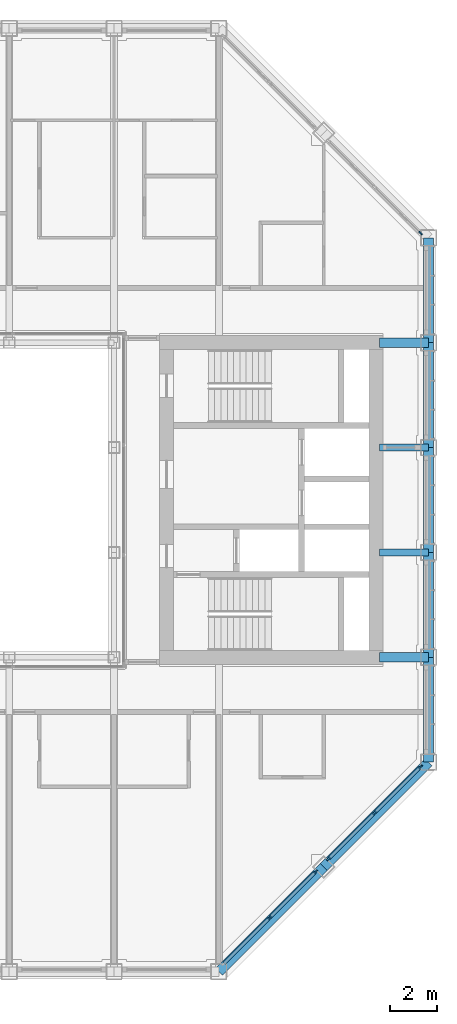
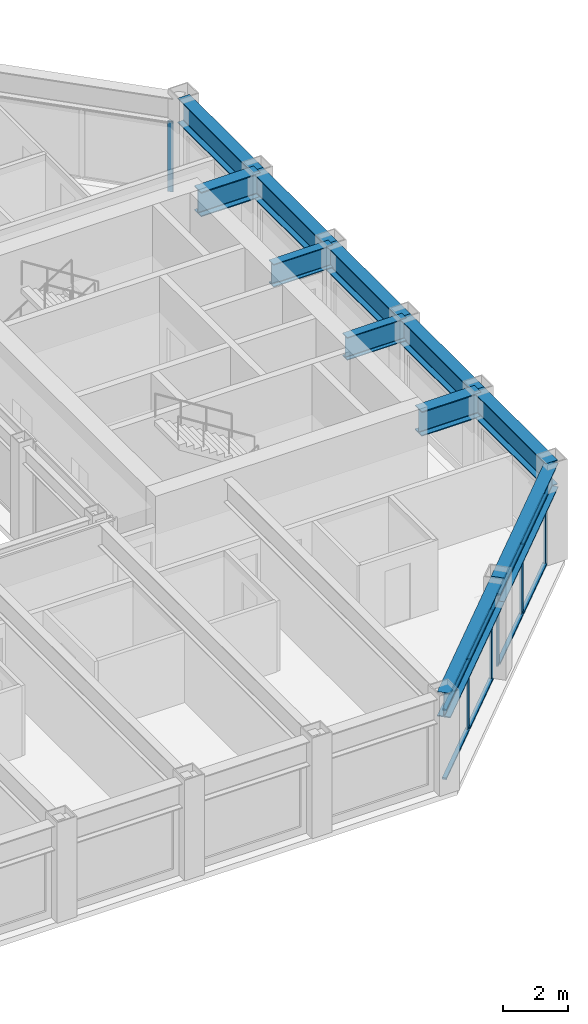
# One storey, part 5 of 18: 14 members, 11 beams, 3 elements without a shape of their own.
"""IFC4 building model written with IfcOpenShell, lengths in metres."""

from ifc_helpers import new_model, si_unit, direction, frame, origin, origin_2d, place, context, subcontext, project, spatial, rectangle, i_section, extrude, material, material_profile, profile_set, type_object, element, aggregate, save


model = new_model("IFC4")

# Units and contexts
model_context = context("Model", 3, precision=1e-05, world=origin(), true_north=direction((0.0, 1.0)))
body_context = subcontext(model_context, "Body", "Model", "MODEL_VIEW")
ifc_project = project(units=[si_unit("LENGTHUNIT", "METRE"), si_unit("AREAUNIT", "SQUARE_METRE"), si_unit("VOLUMEUNIT", "CUBIC_METRE"), si_unit("PLANEANGLEUNIT", "RADIAN"), si_unit("MASSUNIT", "GRAM", prefix="KILO")], contexts=[model_context])

# Site, building, storey
site_placement = place(None, origin())
site = spatial("IfcSite", under=ifc_project, at=site_placement, CompositionType="ELEMENT")
building_placement = place(site_placement, origin())
building = spatial("IfcBuilding", under=site, at=building_placement, Name="Msasa Ring Tower", CompositionType="ELEMENT")
storey_placement = place(building_placement, frame((0.0, 0.0, 223.300048828125)))
storey = spatial("IfcBuildingStorey", under=building, at=storey_placement, Name="L58", CompositionType="ELEMENT", Elevation=223.300048828125)

# Curtain wall, members
ifc_material_1 = material(Name="Aluminium curtain wall with clear glass", Category="aluminium")
curtain_wall_type = type_object("IfcCurtainWallType", Name="CW-C CHAMFER CORNER CURTAIN WALL", PredefinedType="NOTDEFINED", material=ifc_material_1)
curtain_wall_1_placement = place(storey_placement, origin())
curtain_wall_1 = element("IfcCurtainWall", 1, at=curtain_wall_1_placement, inside=storey, type_object=curtain_wall_type, Name="Chamfer corner curtain wall SE L58", PredefinedType="NOTDEFINED")
ifc_material_2 = material(Name="Aluminium mullion", Category="aluminium")
ifc_material_profile_1 = material_profile(ifc_material_2, rectangle(XDim=0.06494140625, YDim=0.179931640625, at=origin_2d()), Name="AL 65x180")
ifc_profile_set_1 = profile_set([ifc_material_profile_1], Name="Aluminium mullion")
member_type_1 = type_object("IfcMemberType", Name="CW-C MULLION 65x180", PredefinedType="MULLION", material=ifc_profile_set_1)
member_1_placement = place(storey_placement, frame((13.42919921875, -17.92919921875, 0.0), z_axis=(0.0, 0.0, 1.0), x_axis=(-0.707106781187, 0.707106781187, 0.0)))
member_1 = element("IfcMember", 2, at=member_1_placement, type_object=member_type_1, Name="CW-C mullion 2", PredefinedType="MULLION", context=body_context, shape_type="SweptSolid", body=[
    extrude(rectangle(XDim=0.06494140625, YDim=0.179931640625, at=origin_2d()), origin(), (0.0, 0.0, 1.0), 2.62890625),
])
member_2_placement = place(storey_placement, frame((15.4052734375, -15.953369140625, 0.0), z_axis=(0.0, 0.0, 1.0), x_axis=(-0.707106781187, 0.707106781187, 0.0)))
member_2 = element("IfcMember", 3, at=member_2_placement, type_object=member_type_1, Name="CW-C mullion 3", PredefinedType="MULLION", context=body_context, shape_type="SweptSolid", body=[
    extrude(rectangle(XDim=0.06494140625, YDim=0.179931640625, at=origin_2d()), origin(), (0.0, 0.0, 1.0), 2.62890625),
])

curtain_wall_2_placement = place(storey_placement, origin())
curtain_wall_2 = element("IfcCurtainWall", 4, at=curtain_wall_2_placement, inside=storey, type_object=curtain_wall_type, Name="Chamfer corner curtain wall SE L58", PredefinedType="NOTDEFINED")
member_3_placement = place(storey_placement, frame((15.953369140625, -15.4052734375, 0.0), z_axis=(0.0, 0.0, 1.0), x_axis=(-0.707106781187, 0.707106781187, 0.0)))
member_3 = element("IfcMember", 5, at=member_3_placement, type_object=member_type_1, Name="CW-C mullion 1", PredefinedType="MULLION", context=body_context, shape_type="SweptSolid", body=[
    extrude(rectangle(XDim=0.06494140625, YDim=0.179931640625, at=origin_2d()), origin(), (0.0, 0.0, 1.0), 2.62890625),
])
member_4_placement = place(storey_placement, frame((17.92919921875, -13.42919921875, 0.0), z_axis=(0.0, 0.0, 1.0), x_axis=(-0.707106781187, 0.707106781187, 0.0)))
member_4 = element("IfcMember", 6, at=member_4_placement, type_object=member_type_1, Name="CW-C mullion 2", PredefinedType="MULLION", context=body_context, shape_type="SweptSolid", body=[
    extrude(rectangle(XDim=0.06494140625, YDim=0.179931640625, at=origin_2d()), origin(), (0.0, 0.0, 1.0), 2.62890625),
])
member_5_placement = place(storey_placement, frame((19.9052734375, -11.453369140625, 0.0), z_axis=(0.0, 0.0, 1.0), x_axis=(-0.707106781187, 0.707106781187, 0.0)))
member_5 = element("IfcMember", 7, at=member_5_placement, type_object=member_type_1, Name="CW-C mullion 3", PredefinedType="MULLION", context=body_context, shape_type="SweptSolid", body=[
    extrude(rectangle(XDim=0.06494140625, YDim=0.179931640625, at=origin_2d()), origin(), (0.0, 0.0, 1.0), 2.62890625),
])

# Curtain wall, member
curtain_wall_3_placement = place(storey_placement, origin())
curtain_wall_3 = element("IfcCurtainWall", 8, at=curtain_wall_3_placement, inside=storey, type_object=curtain_wall_type, Name="Chamfer corner curtain wall NE L58", PredefinedType="NOTDEFINED")
member_6_placement = place(storey_placement, frame((19.9052734375, 11.453369140625, 0.0), z_axis=(0.0, 0.0, 1.0), x_axis=(-0.707106781187, -0.707106781187, 0.0)))
member_6 = element("IfcMember", 9, at=member_6_placement, type_object=member_type_1, Name="CW-C mullion 1", PredefinedType="MULLION", context=body_context, shape_type="SweptSolid", body=[
    extrude(rectangle(XDim=0.06494140625, YDim=0.179931640625, at=origin_2d()), origin(), (0.0, 0.0, 1.0), 2.62890625),
])
aggregate(curtain_wall_3, [member_6])

# Member
ifc_material_3 = material(Name="Aluminium transom", Category="aluminium")
ifc_material_profile_2 = material_profile(ifc_material_3, rectangle(XDim=0.139892578125, YDim=0.06494140625, at=origin_2d()), Name="AL 65x140")
ifc_profile_set_2 = profile_set([ifc_material_profile_2], Name="Aluminium transom")
member_type_2 = type_object("IfcMemberType", Name="CW-C TRANSOM 65x140", PredefinedType="USERDEFINED", material=ifc_profile_set_2)
member_7_placement = place(storey_placement, frame((11.476318359375, -19.88232421875, 0.032470703125), z_axis=(0.707106781187, 0.707106781187, 0.0), x_axis=(-0.707106781187, 0.707106781187, 0.0)))
member_7 = element("IfcMember", 10, at=member_7_placement, type_object=member_type_2, Name="CW-C transom 1.1", ObjectType="TRANSOM", PredefinedType="USERDEFINED", context=body_context, shape_type="SweptSolid", body=[
    extrude(rectangle(XDim=0.139892578125, YDim=0.06494140625, at=origin_2d()), origin(), (0.0, 0.0, 1.0), 2.729248046875),
])

member_8_placement = place(storey_placement, frame((11.476318359375, -19.88232421875, 2.596435546875), z_axis=(0.707106781187, 0.707106781187, 0.0), x_axis=(-0.707106781187, 0.707106781187, 0.0)))
member_8 = element("IfcMember", 11, at=member_8_placement, type_object=member_type_2, Name="CW-C transom 1.2", ObjectType="TRANSOM", PredefinedType="USERDEFINED", context=body_context, shape_type="SweptSolid", body=[
    extrude(rectangle(XDim=0.139892578125, YDim=0.06494140625, at=origin_2d()), origin(), (0.0, 0.0, 1.0), 2.729248046875),
])

member_9_placement = place(storey_placement, frame((13.452392578125, -17.90625, 0.032470703125), z_axis=(0.707106781187, 0.707106781187, 0.0), x_axis=(-0.707106781187, 0.707106781187, 0.0)))
member_9 = element("IfcMember", 12, at=member_9_placement, type_object=member_type_2, Name="CW-C transom 2.1", ObjectType="TRANSOM", PredefinedType="USERDEFINED", context=body_context, shape_type="SweptSolid", body=[
    extrude(rectangle(XDim=0.139892578125, YDim=0.06494140625, at=origin_2d()), origin(), (0.0, 0.0, 1.0), 2.729248046875),
])

member_10_placement = place(storey_placement, frame((13.452392578125, -17.90625, 2.596435546875), z_axis=(0.707106781187, 0.707106781187, 0.0), x_axis=(-0.707106781187, 0.707106781187, 0.0)))
member_10 = element("IfcMember", 13, at=member_10_placement, type_object=member_type_2, Name="CW-C transom 2.2", ObjectType="TRANSOM", PredefinedType="USERDEFINED", context=body_context, shape_type="SweptSolid", body=[
    extrude(rectangle(XDim=0.139892578125, YDim=0.06494140625, at=origin_2d()), origin(), (0.0, 0.0, 1.0), 2.729248046875),
])

aggregate(curtain_wall_1, [member_1, member_2, member_7, member_8, member_9, member_10])

member_11_placement = place(storey_placement, frame((15.976318359375, -15.38232421875, 0.032470703125), z_axis=(0.707106781187, 0.707106781187, 0.0), x_axis=(-0.707106781187, 0.707106781187, 0.0)))
member_11 = element("IfcMember", 14, at=member_11_placement, type_object=member_type_2, Name="CW-C transom 1.1", ObjectType="TRANSOM", PredefinedType="USERDEFINED", context=body_context, shape_type="SweptSolid", body=[
    extrude(rectangle(XDim=0.139892578125, YDim=0.06494140625, at=origin_2d()), origin(), (0.0, 0.0, 1.0), 2.729248046875),
])

member_12_placement = place(storey_placement, frame((15.976318359375, -15.38232421875, 2.596435546875), z_axis=(0.707106781187, 0.707106781187, 0.0), x_axis=(-0.707106781187, 0.707106781187, 0.0)))
member_12 = element("IfcMember", 15, at=member_12_placement, type_object=member_type_2, Name="CW-C transom 1.2", ObjectType="TRANSOM", PredefinedType="USERDEFINED", context=body_context, shape_type="SweptSolid", body=[
    extrude(rectangle(XDim=0.139892578125, YDim=0.06494140625, at=origin_2d()), origin(), (0.0, 0.0, 1.0), 2.729248046875),
])

member_13_placement = place(storey_placement, frame((17.952392578125, -13.40625, 0.032470703125), z_axis=(0.707106781187, 0.707106781187, 0.0), x_axis=(-0.707106781187, 0.707106781187, 0.0)))
member_13 = element("IfcMember", 16, at=member_13_placement, type_object=member_type_2, Name="CW-C transom 2.1", ObjectType="TRANSOM", PredefinedType="USERDEFINED", context=body_context, shape_type="SweptSolid", body=[
    extrude(rectangle(XDim=0.139892578125, YDim=0.06494140625, at=origin_2d()), origin(), (0.0, 0.0, 1.0), 2.729248046875),
])

member_14_placement = place(storey_placement, frame((17.952392578125, -13.40625, 2.596435546875), z_axis=(0.707106781187, 0.707106781187, 0.0), x_axis=(-0.707106781187, 0.707106781187, 0.0)))
member_14 = element("IfcMember", 17, at=member_14_placement, type_object=member_type_2, Name="CW-C transom 2.2", ObjectType="TRANSOM", PredefinedType="USERDEFINED", context=body_context, shape_type="SweptSolid", body=[
    extrude(rectangle(XDim=0.139892578125, YDim=0.06494140625, at=origin_2d()), origin(), (0.0, 0.0, 1.0), 2.729248046875),
])

aggregate(curtain_wall_2, [member_3, member_4, member_5, member_11, member_12, member_13, member_14])

# Beams
ifc_material_4 = material(Name="Steel S355", Category="steel")
ifc_material_profile_3 = material_profile(ifc_material_4, i_section(OverallWidth=0.293701171875, OverallDepth=0.850830078125, WebThickness=0.01611328125, FlangeThickness=0.02685546875, FilletRadius=0.017822265625, at=origin_2d()), Name="UB 838x292x226")
ifc_profile_set_3 = profile_set([ifc_material_profile_3], Name="Steel S355")
beam_type_1 = type_object("IfcBeamType", Name="FB5 UB 838x292x226", PredefinedType="BEAM", material=ifc_profile_set_3)
for number, where, z_axis, x_axis, name in (
    (18, (20.25, -2.25, 3.12451171875), (-1.0, 0.0, 0.0), (0.0, -1.0, 0.0), "Floor beam E -2.25 under L59"),
    (19, (20.25, 2.25, 3.12451171875), (-1.0, 0.0, 0.0), (0.0, -1.0, 0.0), "Floor beam E +2.25 under L59"),
):
    element("IfcBeam", number, at=place(storey_placement, frame(where, z_axis=z_axis, x_axis=x_axis)), inside=storey, type_object=beam_type_1, Name=name, PredefinedType="BEAM", context=body_context, shape_type="SweptSolid", body=[
        extrude(i_section(OverallWidth=0.293701171875, OverallDepth=0.850830078125, WebThickness=0.01611328125, FlangeThickness=0.02685546875, FilletRadius=0.017822265625, at=origin_2d()), origin(), (0.0, 0.0, 1.0), 2.10009765625),
    ])
ifc_material_5 = material(Name="Steel S355", Category="steel")
ifc_material_profile_4 = material_profile(ifc_material_5, i_section(OverallWidth=0.42041015625, OverallDepth=0.9208984375, WebThickness=0.021484375, FlangeThickness=0.03662109375, FilletRadius=0.024169921875, at=origin_2d()), Name="UB 914x419x388")
ifc_profile_set_4 = profile_set([ifc_material_profile_4], Name="Steel S355")
beam_type_2 = type_object("IfcBeamType", Name="GB1 UB 914x419x388", PredefinedType="BEAM", material=ifc_profile_set_4)
for number, where, z_axis, x_axis, name in (
    (20, (18.14990234375, 6.75, 3.08935546875), (1.0, 0.0, 0.0), (0.0, 1.0, 0.0), "Girder E +6.75 under L59"),
    (21, (18.14990234375, -6.75, 3.08935546875), (1.0, 0.0, 0.0), (0.0, 1.0, 0.0), "Girder E -6.75 under L59"),
):
    element("IfcBeam", number, at=place(storey_placement, frame(where, z_axis=z_axis, x_axis=x_axis)), inside=storey, type_object=beam_type_2, Name=name, PredefinedType="BEAM", context=body_context, shape_type="SweptSolid", body=[
        extrude(i_section(OverallWidth=0.42041015625, OverallDepth=0.9208984375, WebThickness=0.021484375, FlangeThickness=0.03662109375, FilletRadius=0.024169921875, at=origin_2d()), origin(), (0.0, 0.0, 1.0), 2.10009765625),
    ])
ifc_material_6 = material(Name="Steel S355", Category="steel")
ifc_material_profile_5 = material_profile(ifc_material_6, i_section(OverallWidth=0.42041015625, OverallDepth=0.9208984375, WebThickness=0.021484375, FlangeThickness=0.03662109375, FilletRadius=0.024169921875, at=origin_2d()), Name="UB 914x419x388")
ifc_profile_set_5 = profile_set([ifc_material_profile_5], Name="Steel S355")
beam_type_3 = type_object("IfcBeamType", Name="SB1 UB 914x419x388", PredefinedType="SPANDREL", material=ifc_profile_set_5)
for number, where, z_axis, x_axis, name in (
    (22, (11.25, -20.25, 3.08935546875), (0.707106781187, 0.707106781187, 0.0), (-0.707106781187, 0.707106781187, 0.0), "Spandrel S+11.25 to SE under L59"),
    (23, (15.75, -15.75, 3.08935546875), (0.707106781187, 0.707106781187, 0.0), (-0.707106781187, 0.707106781187, 0.0), "Spandrel SE to E-11.25 under L59"),
):
    element("IfcBeam", number, at=place(storey_placement, frame(where, z_axis=z_axis, x_axis=x_axis)), inside=storey, type_object=beam_type_3, Name=name, PredefinedType="SPANDREL", context=body_context, shape_type="SweptSolid", body=[
        extrude(i_section(OverallWidth=0.42041015625, OverallDepth=0.9208984375, WebThickness=0.021484375, FlangeThickness=0.03662109375, FilletRadius=0.024169921875, at=origin_2d()), origin(), (0.0, 0.0, 1.0), 6.364013671875),
    ])
for number, where, z_axis, x_axis, name in (
    (24, (20.25, -11.25, 3.08935546875), (0.0, 1.0, 0.0), (-1.0, 0.0, 0.0), "Spandrel E-11.25 to E-6.75 under L59"),
    (25, (20.25, -6.75, 3.08935546875), (0.0, 1.0, 0.0), (-1.0, 0.0, 0.0), "Spandrel E-6.75 to E-2.25 under L59"),
    (26, (20.25, -2.25, 3.08935546875), (0.0, 1.0, 0.0), (-1.0, 0.0, 0.0), "Spandrel E-2.25 to E+2.25 under L59"),
    (27, (20.25, 2.25, 3.08935546875), (0.0, 1.0, 0.0), (-1.0, 0.0, 0.0), "Spandrel E+2.25 to E+6.75 under L59"),
    (28, (20.25, 6.75, 3.08935546875), (0.0, 1.0, 0.0), (-1.0, 0.0, 0.0), "Spandrel E+6.75 to E+11.25 under L59"),
):
    element("IfcBeam", number, at=place(storey_placement, frame(where, z_axis=z_axis, x_axis=x_axis)), inside=storey, type_object=beam_type_3, Name=name, PredefinedType="SPANDREL", context=body_context, shape_type="SweptSolid", body=[
        extrude(i_section(OverallWidth=0.42041015625, OverallDepth=0.9208984375, WebThickness=0.021484375, FlangeThickness=0.03662109375, FilletRadius=0.024169921875, at=origin_2d()), origin(), (0.0, 0.0, 1.0), 4.5),
    ])

save(model, "model.ifc")
